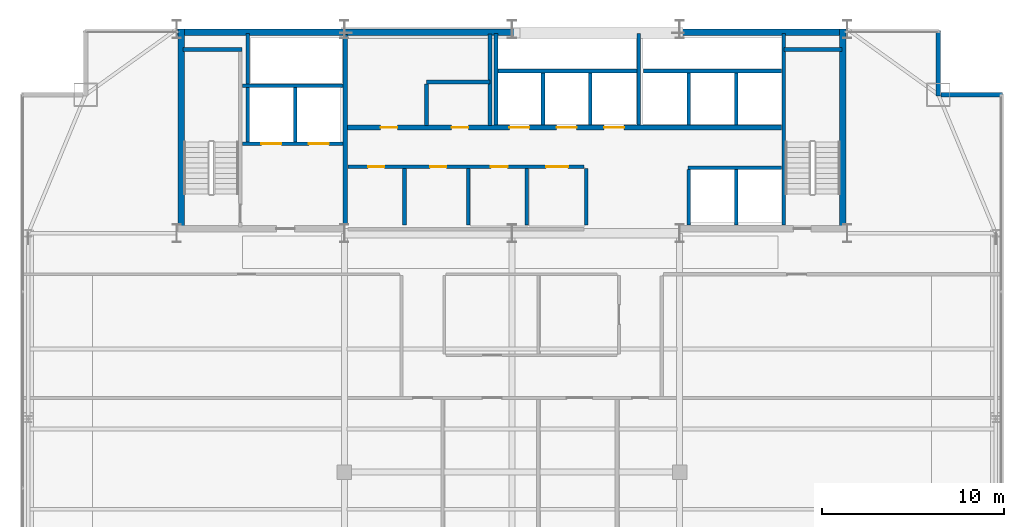
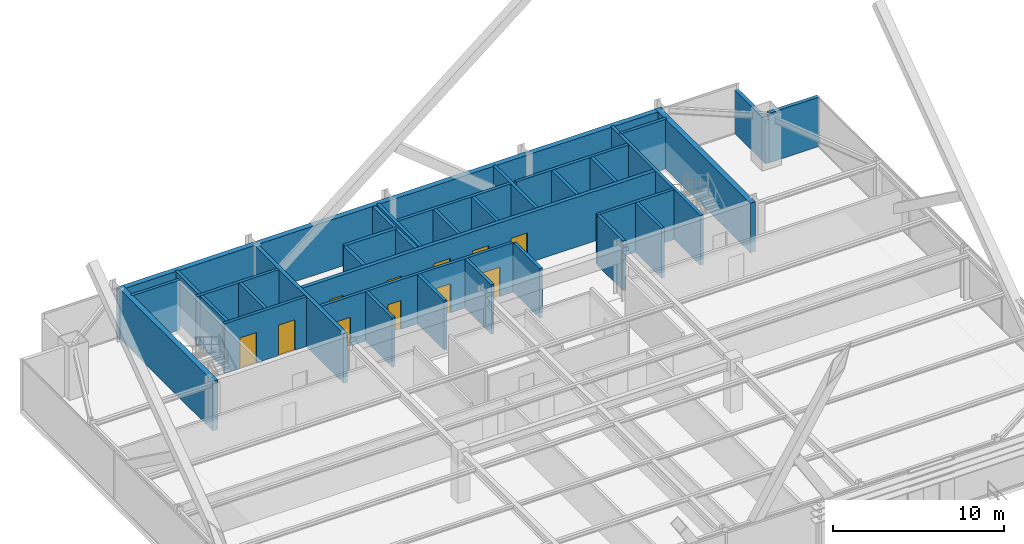
# One storey, part 31 of 34: 33 walls, 11 doors, 11 openings.
"""IFC4 building model written with IfcOpenShell, lengths in metres."""

from ifc_helpers import new_model, si_unit, direction, frame, frame_2d, origin, place, context, subcontext, project, spatial, rectangle, extrude, source, transform, mapped, material, layer, layer_set, type_object, type_shapes, element, fill, save


model = new_model("IFC4")

# Units and contexts
model_context = context("Model", 3, precision=1e-05, world=origin(), true_north=direction((0.0, 1.0)))
body_context = subcontext(model_context, "Body", "Model", "MODEL_VIEW")
ifc_project = project(units=[si_unit("LENGTHUNIT", "METRE"), si_unit("AREAUNIT", "SQUARE_METRE"), si_unit("VOLUMEUNIT", "CUBIC_METRE"), si_unit("PLANEANGLEUNIT", "RADIAN"), si_unit("MASSUNIT", "GRAM", prefix="KILO")], contexts=[model_context])

# Site, building, storey
site_placement = place(None, origin())
site = spatial("IfcSite", under=ifc_project, at=site_placement, CompositionType="ELEMENT")
building_placement = place(site_placement, origin())
building = spatial("IfcBuilding", under=site, at=building_placement, Name="Varnel Quay Broadcast Tower", CompositionType="ELEMENT")
storey_placement = place(building_placement, frame((0.0, 0.0, 161.0)))
storey = spatial("IfcBuildingStorey", under=building, at=storey_placement, Name="L39", CompositionType="ELEMENT", Elevation=161.0)

# Wall
ifc_material_1 = material(Name="Concrete CSA A23.3 C50/60", Category="concrete")
ifc_layer_1 = layer(ifc_material_1, 0.199951171875, Name="Concrete CSA A23.3 C50/60")
ifc_layer_set_1 = layer_set([ifc_layer_1], Name="Concrete CSA A23.3 C50/60")
wall_type_1 = type_object("IfcWallType", Name="Wall_CoreShaftShear200", PredefinedType="SHEAR", material=ifc_layer_set_1)
wall_1_placement = place(storey_placement, frame((15.949951171875, 45.679931640625, 0.0), z_axis=(0.0, 0.0, 1.0), x_axis=(1.0, 0.0, 0.0)))
element("IfcWall", 1, at=wall_1_placement, inside=storey, type_object=wall_type_1, Name="L39 Stair 1 North Structural Wall", PredefinedType="SHEAR", context=body_context, shape_type="SweptSolid", body=[
    extrude(rectangle(XDim=3.22998046875, YDim=0.199951171875, at=frame_2d((1.614990234375, 0.0))), origin(), (0.0, 0.0, 1.0), 3.550048828125),
])

# Wall, openings, doors
wall_2_placement = place(storey_placement, frame((19.199951171875, 40.5, 0.0), z_axis=(0.0, 0.0, 1.0), x_axis=(1.0, 0.0, 0.0)))
wall_2 = element("IfcWall", 2, at=wall_2_placement, inside=storey, type_object=wall_type_1, Name="L39 Firefighter Lift Shaft Front Wall", PredefinedType="SHEAR", context=body_context, shape_type="SweptSolid", body=[
    extrude(rectangle(XDim=5.52001953125, YDim=0.199951171875, at=frame_2d((2.760009765625, 0.0))), origin(), (0.0, 0.0, 1.0), 3.550048828125),
])
opening_1_placement = place(wall_2_placement, frame((1.050048828125, 0.0, 0.0)))
opening_1 = element("IfcOpeningElement", 3, at=opening_1_placement, cuts=wall_2, Name="Opening LD-L39-FE1", PredefinedType="OPENING", context=body_context, shape_type="SweptSolid", body=[
    extrude(rectangle(XDim=1.10009765625, YDim=2.179931640625, at=frame_2d((0.550048828125, 1.08984375))), frame((0.0, 0.10986328125, 0.0), z_axis=(0.0, -1.0, 0.0), x_axis=(1.0, 0.0, 0.0)), (0.0, 0.0, 1.0), 0.219970703125),
])
opening_2_placement = place(wall_2_placement, frame((3.64990234375, 0.0, 0.0)))
opening_2 = element("IfcOpeningElement", 4, at=opening_2_placement, cuts=wall_2, Name="Opening LD-L39-FE2", PredefinedType="OPENING", context=body_context, shape_type="SweptSolid", body=[
    extrude(rectangle(XDim=1.10009765625, YDim=2.179931640625, at=frame_2d((0.550048828125, 1.08984375))), frame((0.0, 0.10986328125, 0.0), z_axis=(0.0, -1.0, 0.0), x_axis=(1.0, 0.0, 0.0)), (0.0, 0.0, 1.0), 0.219970703125),
])
ifc_material_2 = material(Name="Brushed Bronze-Stainless Lift Car & Sliding Doors", Category="steel")
door_type_1 = type_object("IfcDoorType", Name="Door_LiftLanding1100", OperationType="SLIDING_TO_LEFT", PredefinedType="DOOR", material=ifc_material_2)
shared_shape_1 = source(origin(), body_context, "Body", "SweptSolid", [
    extrude(rectangle(XDim=1.10009765625, YDim=2.179931640625, at=frame_2d((0.550048828125, 1.08984375))), frame((0.0, 0.02490234375, 0.0), z_axis=(0.0, -1.0, 0.0), x_axis=(1.0, 0.0, 0.0)), (0.0, 0.0, 1.0), 0.050048828125),
])
type_shapes(door_type_1, [shared_shape_1])
door_1_placement = place(opening_1_placement, frame((1.10009765625, 0.0, 0.0), z_axis=(0.0, 0.0, 1.0), x_axis=(-1.0, 0.0, 0.0)))
door_1 = element("IfcDoor", 5, at=door_1_placement, inside=storey, type_object=door_type_1, Name="L39 Firefighter Lift FE-01 Landing Door", OperationType="SLIDING_TO_LEFT", OverallHeight=2.179931640625, OverallWidth=1.10009765625, PredefinedType="DOOR", context=body_context, shape_type="MappedRepresentation", body=[
    mapped(shared_shape_1, transform((0.0, 0.0, 0.0), x_axis=(1.0, 0.0, 0.0), y_axis=(0.0, 1.0, 0.0), z_axis=(0.0, 0.0, 1.0), scale=1.0)),
])
fill(opening_1, door_1)
door_2_placement = place(opening_2_placement, frame((1.10009765625, 0.0, 0.0), z_axis=(0.0, 0.0, 1.0), x_axis=(-1.0, 0.0, 0.0)))
door_2 = element("IfcDoor", 6, at=door_2_placement, inside=storey, type_object=door_type_1, Name="L39 Firefighter Lift FE-02 Landing Door", OperationType="SLIDING_TO_RIGHT", OverallHeight=2.179931640625, OverallWidth=1.10009765625, PredefinedType="DOOR", context=body_context, shape_type="MappedRepresentation", body=[
    mapped(shared_shape_1, transform((0.0, 0.0, 0.0), x_axis=(1.0, 0.0, 0.0), y_axis=(0.0, 1.0, 0.0), z_axis=(0.0, 0.0, 1.0), scale=1.0)),
])
fill(opening_2, door_2)

# Walls
wall_3_placement = place(storey_placement, frame((19.199951171875, 43.699951171875, 0.0), z_axis=(0.0, 0.0, 1.0), x_axis=(1.0, 0.0, 0.0)))
element("IfcWall", 7, at=wall_3_placement, inside=storey, type_object=wall_type_1, Name="L39 Firefighter Lift Shaft Rear Wall", PredefinedType="SHEAR", context=body_context, shape_type="SweptSolid", body=[
    extrude(rectangle(XDim=5.52001953125, YDim=0.199951171875, at=frame_2d((2.760009765625, 0.0))), origin(), (0.0, 0.0, 1.0), 3.550048828125),
])
wall_4_placement = place(storey_placement, frame((22.10009765625, 40.60009765625, 0.0), z_axis=(0.0, 0.0, 1.0), x_axis=(0.0, 1.0, 0.0)))
element("IfcWall", 8, at=wall_4_placement, inside=storey, type_object=wall_type_1, Name="L39 Firefighter Lift Shaft Divider", PredefinedType="SHEAR", context=body_context, shape_type="SweptSolid", body=[
    extrude(rectangle(XDim=3.0, YDim=0.199951171875, at=frame_2d((1.5, 0.0))), origin(), (0.0, 0.0, 1.0), 3.550048828125),
])
wall_5_placement = place(storey_placement, frame((19.5, 40.60009765625, 0.0), z_axis=(0.0, 0.0, 1.0), x_axis=(0.0, 1.0, 0.0)))
element("IfcWall", 9, at=wall_5_placement, inside=storey, type_object=wall_type_1, Name="L39 Firefighter Lift Shaft West Wall", PredefinedType="SHEAR", context=body_context, shape_type="SweptSolid", body=[
    extrude(rectangle(XDim=5.949951171875, YDim=0.199951171875, at=frame_2d((2.97509765625, 0.0))), origin(), (0.0, 0.0, 1.0), 3.550048828125),
])
wall_6_placement = place(storey_placement, frame((48.919921875, 36.050048828125, 0.0), z_axis=(0.0, 0.0, 1.0), x_axis=(0.0, 1.0, 0.0)))
element("IfcWall", 10, at=wall_6_placement, inside=storey, type_object=wall_type_1, Name="L39 Stair 2 West Structural Wall", PredefinedType="SHEAR", context=body_context, shape_type="SweptSolid", body=[
    extrude(rectangle(XDim=10.5, YDim=0.199951171875, at=frame_2d((5.25, 0.0))), origin(), (0.0, 0.0, 1.0), 3.550048828125),
])
wall_7_placement = place(storey_placement, frame((48.919921875, 45.679931640625, 0.0), z_axis=(0.0, 0.0, 1.0), x_axis=(1.0, 0.0, 0.0)))
element("IfcWall", 11, at=wall_7_placement, inside=storey, type_object=wall_type_1, Name="L39 Stair 2 North Structural Wall", PredefinedType="SHEAR", context=body_context, shape_type="SweptSolid", body=[
    extrude(rectangle(XDim=3.18017578125, YDim=0.199951171875, at=frame_2d((1.590087890625, 0.0))), origin(), (0.0, 0.0, 1.0), 3.550048828125),
])
wall_8_placement = place(storey_placement, frame((33.219970703125, 44.5, 0.0), z_axis=(0.0, 0.0, 1.0), x_axis=(1.0, 0.0, 0.0)))
element("IfcWall", 12, at=wall_8_placement, inside=storey, type_object=wall_type_1, Name="L39 Mid-Rise Lift Shaft Rear Wall", PredefinedType="SHEAR", context=body_context, shape_type="SweptSolid", body=[
    extrude(rectangle(XDim=7.630126953125, YDim=0.199951171875, at=frame_2d((3.81494140625, 0.0))), origin(), (0.0, 0.0, 1.0), 3.550048828125),
])
wall_9_placement = place(storey_placement, frame((33.1201171875, 41.530029296875, 0.0), z_axis=(0.0, 0.0, 1.0), x_axis=(0.0, 1.0, 0.0)))
element("IfcWall", 13, at=wall_9_placement, inside=storey, type_object=wall_type_1, Name="L39 Mid-Rise Lift Shaft Divider 1", PredefinedType="SHEAR", context=body_context, shape_type="SweptSolid", body=[
    extrude(rectangle(XDim=5.02001953125, YDim=0.199951171875, at=frame_2d((2.510009765625, 0.0))), origin(), (0.0, 0.0, 1.0), 3.550048828125),
])
for number, where, z_axis, x_axis, name in (
    (14, (35.699951171875, 41.530029296875, 0.0), (0.0, 0.0, 1.0), (0.0, 1.0, 0.0), "L39 Mid-Rise Lift Shaft Divider 2"),
    (15, (38.300048828125, 41.530029296875, 0.0), (0.0, 0.0, 1.0), (0.0, 1.0, 0.0), "L39 Mid-Rise Lift Shaft Divider 3"),
):
    element("IfcWall", number, at=place(storey_placement, frame(where, z_axis=z_axis, x_axis=x_axis)), inside=storey, type_object=wall_type_1, Name=name, PredefinedType="SHEAR", context=body_context, shape_type="SweptSolid", body=[
        extrude(rectangle(XDim=2.869873046875, YDim=0.199951171875, at=frame_2d((1.43505859375, 0.0))), origin(), (0.0, 0.0, 1.0), 3.550048828125),
    ])
wall_10_placement = place(storey_placement, frame((40.949951171875, 41.530029296875, 0.0), z_axis=(0.0, 0.0, 1.0), x_axis=(0.0, 1.0, 0.0)))
element("IfcWall", 16, at=wall_10_placement, inside=storey, type_object=wall_type_1, Name="L39 Mid-Rise Lift Shaft Divider 4", PredefinedType="SHEAR", context=body_context, shape_type="SweptSolid", body=[
    extrude(rectangle(XDim=5.02001953125, YDim=0.199951171875, at=frame_2d((2.510009765625, 0.0))), origin(), (0.0, 0.0, 1.0), 3.550048828125),
])
wall_11_placement = place(storey_placement, frame((41.219970703125, 44.5, 0.0), z_axis=(0.0, 0.0, 1.0), x_axis=(1.0, 0.0, 0.0)))
element("IfcWall", 17, at=wall_11_placement, inside=storey, type_object=wall_type_1, Name="L39 High-Rise Lift Shaft Rear Wall", PredefinedType="SHEAR", context=body_context, shape_type="SweptSolid", body=[
    extrude(rectangle(XDim=7.580078125, YDim=0.199951171875, at=frame_2d((3.7900390625, 0.0))), origin(), (0.0, 0.0, 1.0), 3.550048828125),
])
for number, where, z_axis, x_axis, name in (
    (18, (43.699951171875, 41.530029296875, 0.0), (0.0, 0.0, 1.0), (0.0, 1.0, 0.0), "L39 High-Rise Lift Shaft Divider 2"),
    (19, (46.300048828125, 41.530029296875, 0.0), (0.0, 0.0, 1.0), (0.0, 1.0, 0.0), "L39 High-Rise Lift Shaft Divider 3"),
):
    element("IfcWall", number, at=place(storey_placement, frame(where, z_axis=z_axis, x_axis=x_axis)), inside=storey, type_object=wall_type_1, Name=name, PredefinedType="SHEAR", context=body_context, shape_type="SweptSolid", body=[
        extrude(rectangle(XDim=2.869873046875, YDim=0.199951171875, at=frame_2d((1.43505859375, 0.0))), origin(), (0.0, 0.0, 1.0), 3.550048828125),
    ])
for number, where, z_axis, x_axis, name in (
    (20, (43.699951171875, 36.050048828125, 0.0), (0.0, 0.0, 1.0), (0.0, 1.0, 0.0), "L39 Express Lift Shaft West Wall"),
    (21, (46.300048828125, 36.050048828125, 0.0), (0.0, 0.0, 1.0), (0.0, 1.0, 0.0), "L39 Express Lift Shaft Divider"),
):
    element("IfcWall", number, at=place(storey_placement, frame(where, z_axis=z_axis, x_axis=x_axis)), inside=storey, type_object=wall_type_1, Name=name, PredefinedType="SHEAR", context=body_context, shape_type="SweptSolid", body=[
        extrude(rectangle(XDim=3.050048828125, YDim=0.199951171875, at=frame_2d((1.52490234375, 0.0))), origin(), (0.0, 0.0, 1.0), 3.550048828125),
    ])
wall_12_placement = place(storey_placement, frame((43.64990234375, 39.199951171875, 0.0), z_axis=(0.0, 0.0, 1.0), x_axis=(1.0, 0.0, 0.0)))
element("IfcWall", 22, at=wall_12_placement, inside=storey, type_object=wall_type_1, Name="L39 Express Lift Shaft North Front Wall", PredefinedType="SHEAR", context=body_context, shape_type="SweptSolid", body=[
    extrude(rectangle(XDim=5.150146484375, YDim=0.199951171875, at=frame_2d((2.5751953125, 0.0))), origin(), (0.0, 0.0, 1.0), 3.550048828125),
])
ifc_layer_2 = layer(ifc_material_1, 0.25, Name="Concrete CSA A23.3 C50/60")
ifc_layer_set_2 = layer_set([ifc_layer_2], Name="Concrete CSA A23.3 C50/60")
wall_type_2 = type_object("IfcWallType", Name="Wall_CoreShaftShear250", PredefinedType="SHEAR", material=ifc_layer_set_2)
wall_13_placement = place(storey_placement, frame((24.85009765625, 36.050048828125, 0.0), z_axis=(0.0, 0.0, 1.0), x_axis=(0.0, 1.0, 0.0)))
element("IfcWall", 23, at=wall_13_placement, inside=storey, type_object=wall_type_2, Name="L39 Firefighting Lobby East Structural Wall", PredefinedType="SHEAR", context=body_context, shape_type="SweptSolid", body=[
    extrude(rectangle(XDim=10.449951171875, YDim=0.25, at=frame_2d((5.22509765625, 0.0))), origin(), (0.0, 0.0, 1.0), 3.550048828125),
])

# Wall, openings, doors
wall_14_placement = place(storey_placement, frame((24.97998046875, 41.39990234375, 0.0), z_axis=(0.0, 0.0, 1.0), x_axis=(1.0, 0.0, 0.0)))
wall_14 = element("IfcWall", 24, at=wall_14_placement, inside=storey, type_object=wall_type_2, Name="L39 North Lift Bank & Reclaimed Suite Wall", PredefinedType="SHEAR", context=body_context, shape_type="SweptSolid", body=[
    extrude(rectangle(XDim=23.820068359375, YDim=0.25, at=frame_2d((11.91015625, 0.0))), origin(), (0.0, 0.0, 1.0), 3.550048828125),
])
opening_3_placement = place(wall_14_placement, frame((8.8701171875, 0.0, 0.0)))
opening_3 = element("IfcOpeningElement", 25, at=opening_3_placement, cuts=wall_14, Name="Opening LD-L39-PM-01", PredefinedType="OPENING", context=body_context, shape_type="SweptSolid", body=[
    extrude(rectangle(XDim=1.10009765625, YDim=2.179931640625, at=frame_2d((0.550048828125, 1.08984375))), frame((0.0, 0.135009765625, 0.0), z_axis=(0.0, -1.0, 0.0), x_axis=(1.0, 0.0, 0.0)), (0.0, 0.0, 1.0), 0.27001953125),
])
opening_4_placement = place(wall_14_placement, frame((11.469970703125, 0.0, 0.0)))
opening_4 = element("IfcOpeningElement", 26, at=opening_4_placement, cuts=wall_14, Name="Opening LD-L39-PM-02", PredefinedType="OPENING", context=body_context, shape_type="SweptSolid", body=[
    extrude(rectangle(XDim=1.10009765625, YDim=2.179931640625, at=frame_2d((0.550048828125, 1.08984375))), frame((0.0, 0.135009765625, 0.0), z_axis=(0.0, -1.0, 0.0), x_axis=(1.0, 0.0, 0.0)), (0.0, 0.0, 1.0), 0.27001953125),
])
opening_5_placement = place(wall_14_placement, frame((14.070068359375, 0.0, 0.0)))
opening_5 = element("IfcOpeningElement", 27, at=opening_5_placement, cuts=wall_14, Name="Opening LD-L39-PM-03", PredefinedType="OPENING", context=body_context, shape_type="SweptSolid", body=[
    extrude(rectangle(XDim=1.10009765625, YDim=2.179931640625, at=frame_2d((0.550048828125, 1.08984375))), frame((0.0, 0.135009765625, 0.0), z_axis=(0.0, -1.0, 0.0), x_axis=(1.0, 0.0, 0.0)), (0.0, 0.0, 1.0), 0.27001953125),
])
opening_6_placement = place(wall_14_placement, frame((1.81005859375, 0.0, 0.0)))
opening_6 = element("IfcOpeningElement", 28, at=opening_6_placement, cuts=wall_14, Name="Opening D-L39-RECA1", PredefinedType="OPENING", context=body_context, shape_type="SweptSolid", body=[
    extrude(rectangle(XDim=0.919921875, YDim=2.080078125, at=frame_2d((0.4599609375, 1.0400390625))), frame((0.0, 0.135009765625, 0.0), z_axis=(0.0, -1.0, 0.0), x_axis=(1.0, 0.0, 0.0)), (0.0, 0.0, 1.0), 0.27001953125),
])
opening_7_placement = place(wall_14_placement, frame((5.7099609375, 0.0, 0.0)))
opening_7 = element("IfcOpeningElement", 29, at=opening_7_placement, cuts=wall_14, Name="Opening D-L39-RECA2", PredefinedType="OPENING", context=body_context, shape_type="SweptSolid", body=[
    extrude(rectangle(XDim=0.919921875, YDim=2.080078125, at=frame_2d((0.4599609375, 1.0400390625))), frame((0.0, 0.135009765625, 0.0), z_axis=(0.0, -1.0, 0.0), x_axis=(1.0, 0.0, 0.0)), (0.0, 0.0, 1.0), 0.27001953125),
])
door_3_placement = place(opening_3_placement, frame((1.10009765625, 0.0, 0.0), z_axis=(0.0, 0.0, 1.0), x_axis=(-1.0, 0.0, 0.0)))
door_3 = element("IfcDoor", 30, at=door_3_placement, inside=storey, type_object=door_type_1, Name="L39 Lift PM-01 Landing Door", OperationType="SLIDING_TO_LEFT", OverallHeight=2.179931640625, OverallWidth=1.10009765625, PredefinedType="DOOR", context=body_context, shape_type="MappedRepresentation", body=[
    mapped(shared_shape_1, transform((0.0, 0.0, 0.0), x_axis=(1.0, 0.0, 0.0), y_axis=(0.0, 1.0, 0.0), z_axis=(0.0, 0.0, 1.0), scale=1.0)),
])
fill(opening_3, door_3)
door_4_placement = place(opening_4_placement, frame((1.10009765625, 0.0, 0.0), z_axis=(0.0, 0.0, 1.0), x_axis=(-1.0, 0.0, 0.0)))
door_4 = element("IfcDoor", 31, at=door_4_placement, inside=storey, type_object=door_type_1, Name="L39 Lift PM-02 Landing Door", OperationType="SLIDING_TO_LEFT", OverallHeight=2.179931640625, OverallWidth=1.10009765625, PredefinedType="DOOR", context=body_context, shape_type="MappedRepresentation", body=[
    mapped(shared_shape_1, transform((0.0, 0.0, 0.0), x_axis=(1.0, 0.0, 0.0), y_axis=(0.0, 1.0, 0.0), z_axis=(0.0, 0.0, 1.0), scale=1.0)),
])
fill(opening_4, door_4)
door_5_placement = place(opening_5_placement, frame((1.10009765625, 0.0, 0.0), z_axis=(0.0, 0.0, 1.0), x_axis=(-1.0, 0.0, 0.0)))
door_5 = element("IfcDoor", 32, at=door_5_placement, inside=storey, type_object=door_type_1, Name="L39 Lift PM-03 Landing Door", OperationType="SLIDING_TO_LEFT", OverallHeight=2.179931640625, OverallWidth=1.10009765625, PredefinedType="DOOR", context=body_context, shape_type="MappedRepresentation", body=[
    mapped(shared_shape_1, transform((0.0, 0.0, 0.0), x_axis=(1.0, 0.0, 0.0), y_axis=(0.0, 1.0, 0.0), z_axis=(0.0, 0.0, 1.0), scale=1.0)),
])
fill(opening_5, door_5)
ifc_material_3 = material(Name="Solid-Core Fire-Rated Acoustic Oak Veneer Door", Category="wood")
door_type_2 = type_object("IfcDoorType", Name="Door_Office920", OperationType="NOTDEFINED", PredefinedType="DOOR", material=ifc_material_3)
shared_shape_2 = source(origin(), body_context, "Body", "SweptSolid", [
    extrude(rectangle(XDim=0.919921875, YDim=2.080078125, at=frame_2d((0.4599609375, 1.0400390625))), frame((0.0, 0.02490234375, 0.0), z_axis=(0.0, -1.0, 0.0), x_axis=(1.0, 0.0, 0.0)), (0.0, 0.0, 1.0), 0.050048828125),
])
type_shapes(door_type_2, [shared_shape_2])
door_6_placement = place(opening_6_placement, origin())
door_6 = element("IfcDoor", 33, at=door_6_placement, inside=storey, type_object=door_type_2, Name="L39 Signal Routing Suite Door", OperationType="SINGLE_SWING_LEFT", OverallHeight=2.080078125, OverallWidth=0.919921875, PredefinedType="DOOR", context=body_context, shape_type="MappedRepresentation", body=[
    mapped(shared_shape_2, transform((0.0, 0.0, 0.0), x_axis=(1.0, 0.0, 0.0), y_axis=(0.0, 1.0, 0.0), z_axis=(0.0, 0.0, 1.0), scale=1.0)),
])
fill(opening_6, door_6)
door_7_placement = place(opening_7_placement, origin())
door_7 = element("IfcDoor", 34, at=door_7_placement, inside=storey, type_object=door_type_2, Name="L39 Archive Media Store Door", OperationType="SINGLE_SWING_RIGHT", OverallHeight=2.080078125, OverallWidth=0.919921875, PredefinedType="DOOR", context=body_context, shape_type="MappedRepresentation", body=[
    mapped(shared_shape_2, transform((0.0, 0.0, 0.0), x_axis=(1.0, 0.0, 0.0), y_axis=(0.0, 1.0, 0.0), z_axis=(0.0, 0.0, 1.0), scale=1.0)),
])
fill(opening_7, door_7)

# Walls
ifc_layer_3 = layer(ifc_material_1, 0.35009765625, Name="Concrete CSA A23.3 C50/60")
ifc_layer_set_3 = layer_set([ifc_layer_3], Name="Concrete CSA A23.3 C50/60")
wall_type_3 = type_object("IfcWallType", Name="Wall_CoreShearExt350", PredefinedType="SHEAR", material=ifc_layer_set_3)
wall_15_placement = place(storey_placement, frame((15.60009765625, 46.625, 0.0), z_axis=(0.0, 0.0, 1.0), x_axis=(1.0, 0.0, 0.0)))
element("IfcWall", 35, at=wall_15_placement, inside=storey, type_object=wall_type_3, Name="L39 North Core Shear Wall", PredefinedType="SHEAR", context=body_context, shape_type="SweptSolid", body=[
    extrude(rectangle(XDim=36.7998046875, YDim=0.35009765625, at=frame_2d((18.39990234375, 0.0))), origin(), (0.0, 0.0, 1.0), 3.550048828125),
])
ifc_layer_4 = layer(ifc_material_1, 0.35009765625, Name="Concrete CSA A23.3 C50/60")
ifc_layer_set_4 = layer_set([ifc_layer_4], Name="Concrete CSA A23.3 C50/60")
wall_type_4 = type_object("IfcWallType", Name="Wall_CoreShearInt350", PredefinedType="SHEAR", material=ifc_layer_set_4)
for number, where, z_axis, x_axis, name in (
    (36, (15.844970703125, 35.669921875, 0.0), (0.0, 0.0, 1.0), (0.0, 1.0, 0.0), "L39 West Core Shear Wall"),
    (37, (52.155029296875, 35.669921875, 0.0), (0.0, 0.0, 1.0), (0.0, 1.0, 0.0), "L39 East Core Shear Wall"),
):
    element("IfcWall", number, at=place(storey_placement, frame(where, z_axis=z_axis, x_axis=x_axis)), inside=storey, type_object=wall_type_4, Name=name, PredefinedType="SHEAR", context=body_context, shape_type="SweptSolid", body=[
        extrude(rectangle(XDim=11.130126953125, YDim=0.35009765625, at=frame_2d((5.56494140625, 0.0))), origin(), (0.0, 0.0, 1.0), 3.550048828125),
    ])
ifc_material_4 = material(Name="Precast Architectural Concrete C40/50", Category="concrete")
ifc_layer_5 = layer(ifc_material_4, 0.25, Name="Precast Architectural Concrete C40/50")
ifc_layer_set_5 = layer_set([ifc_layer_5], Name="Precast Architectural Concrete C40/50")
wall_type_5 = type_object("IfcWallType", Name="Wall_ExtTerrace250", PredefinedType="SOLIDWALL", material=ifc_layer_set_5)
wall_16_placement = place(storey_placement, frame((57.530029296875, 43.199951171875, 0.0), z_axis=(0.0, 0.0, 1.0), x_axis=(1.0, 0.0, 0.0)))
element("IfcWall", 38, at=wall_16_placement, inside=storey, type_object=wall_type_5, Name="L39 Mega-Column Notch Cladding Wall NNE1", PredefinedType="SOLIDWALL", context=body_context, shape_type="SweptSolid", body=[
    extrude(rectangle(XDim=3.389892578125, YDim=0.25, at=frame_2d((1.69482421875, 0.0))), origin(), (0.0, 0.0, 1.0), 3.530029296875),
])
wall_17_placement = place(storey_placement, frame((57.39990234375, 43.1201171875, 0.0), z_axis=(0.0, 0.0, 1.0), x_axis=(0.0, 1.0, 0.0)))
element("IfcWall", 39, at=wall_17_placement, inside=storey, type_object=wall_type_5, Name="L39 Mega-Column Notch Cladding Wall NNE2", PredefinedType="SOLIDWALL", context=body_context, shape_type="SweptSolid", body=[
    extrude(rectangle(XDim=3.599853515625, YDim=0.25, at=frame_2d((1.7998046875, 0.0))), origin(), (0.0, 0.0, 1.0), 3.10791015625),
])

# Wall, openings, doors
ifc_material_5 = material(Name="Concrete Blockwork Fire Enclosure C40/50", Category="masonry")
ifc_layer_6 = layer(ifc_material_5, 0.199951171875, Name="Concrete Blockwork Fire Enclosure C40/50")
ifc_layer_set_6 = layer_set([ifc_layer_6], Name="Concrete Blockwork Fire Enclosure C40/50")
wall_type_6 = type_object("IfcWallType", Name="Wall_FireShaft200", PredefinedType="SOLIDWALL", material=ifc_layer_set_6)
wall_18_placement = place(storey_placement, frame((25.0, 39.25, 0.0), z_axis=(0.0, 0.0, 1.0), x_axis=(1.0, 0.0, 0.0)))
wall_18 = element("IfcWall", 40, at=wall_18_placement, inside=storey, type_object=wall_type_6, Name="L39 Accessible Universal Washroom Partition 3", PredefinedType="SOLIDWALL", context=body_context, shape_type="SweptSolid", body=[
    extrude(rectangle(XDim=12.949951171875, YDim=0.199951171875, at=frame_2d((6.47509765625, 0.0))), origin(), (0.0, 0.0, 1.0), 3.530029296875),
])
opening_8_placement = place(wall_18_placement, frame((1.10009765625, 0.0, 0.0)))
opening_8 = element("IfcOpeningElement", 41, at=opening_8_placement, cuts=wall_18, Name="Opening D-L39-01", PredefinedType="OPENING", context=body_context, shape_type="SweptSolid", body=[
    extrude(rectangle(XDim=0.89990234375, YDim=2.06005859375, at=frame_2d((0.449951171875, 1.030029296875))), frame((0.0, 0.10986328125, 0.0), z_axis=(0.0, -1.0, 0.0), x_axis=(1.0, 0.0, 0.0)), (0.0, 0.0, 1.0), 0.219970703125),
])
opening_9_placement = place(wall_18_placement, frame((4.5, 0.0, 0.0)))
opening_9 = element("IfcOpeningElement", 42, at=opening_9_placement, cuts=wall_18, Name="Opening D-L39-02", PredefinedType="OPENING", context=body_context, shape_type="SweptSolid", body=[
    extrude(rectangle(XDim=0.89990234375, YDim=2.06005859375, at=frame_2d((0.449951171875, 1.030029296875))), frame((0.0, 0.10986328125, 0.0), z_axis=(0.0, -1.0, 0.0), x_axis=(1.0, 0.0, 0.0)), (0.0, 0.0, 1.0), 0.219970703125),
])
opening_10_placement = place(wall_18_placement, frame((7.840087890625, 0.0, 0.0)))
opening_10 = element("IfcOpeningElement", 43, at=opening_10_placement, cuts=wall_18, Name="Opening D-L39-03", PredefinedType="OPENING", context=body_context, shape_type="SweptSolid", body=[
    extrude(rectangle(XDim=0.919921875, YDim=2.080078125, at=frame_2d((0.4599609375, 1.0400390625))), frame((0.0, 0.10986328125, 0.0), z_axis=(0.0, -1.0, 0.0), x_axis=(1.0, 0.0, 0.0)), (0.0, 0.0, 1.0), 0.219970703125),
])
opening_11_placement = place(wall_18_placement, frame((10.875, 0.0, 0.0)))
opening_11 = element("IfcOpeningElement", 44, at=opening_11_placement, cuts=wall_18, Name="Opening D-L39-04", PredefinedType="OPENING", context=body_context, shape_type="SweptSolid", body=[
    extrude(rectangle(XDim=1.199951171875, YDim=2.10009765625, at=frame_2d((0.60009765625, 1.050048828125))), frame((0.0, 0.10986328125, 0.0), z_axis=(0.0, -1.0, 0.0), x_axis=(1.0, 0.0, 0.0)), (0.0, 0.0, 1.0), 0.219970703125),
])
door_type_3 = type_object("IfcDoorType", Name="Door_Washroom900", OperationType="NOTDEFINED", PredefinedType="DOOR", material=ifc_material_3)
shared_shape_3 = source(origin(), body_context, "Body", "SweptSolid", [
    extrude(rectangle(XDim=0.89990234375, YDim=2.06005859375, at=frame_2d((0.449951171875, 1.030029296875))), frame((0.0, 0.02490234375, 0.0), z_axis=(0.0, -1.0, 0.0), x_axis=(1.0, 0.0, 0.0)), (0.0, 0.0, 1.0), 0.050048828125),
])
type_shapes(door_type_3, [shared_shape_3])
door_8_placement = place(opening_8_placement, frame((0.89990234375, 0.0, 0.0), z_axis=(0.0, 0.0, 1.0), x_axis=(-1.0, 0.0, 0.0)))
door_8 = element("IfcDoor", 45, at=door_8_placement, inside=storey, type_object=door_type_3, Name="L39 Accessible Universal Washroom Door D-L39-01", OperationType="SINGLE_SWING_LEFT", OverallHeight=2.06005859375, OverallWidth=0.89990234375, PredefinedType="DOOR", context=body_context, shape_type="MappedRepresentation", body=[
    mapped(shared_shape_3, transform((0.0, 0.0, 0.0), x_axis=(1.0, 0.0, 0.0), y_axis=(0.0, 1.0, 0.0), z_axis=(0.0, 0.0, 1.0), scale=1.0)),
])
fill(opening_8, door_8)
door_9_placement = place(opening_9_placement, frame((0.89990234375, 0.0, 0.0), z_axis=(0.0, 0.0, 1.0), x_axis=(-1.0, 0.0, 0.0)))
door_9 = element("IfcDoor", 46, at=door_9_placement, inside=storey, type_object=door_type_3, Name="L39 Staff Washroom Block Door D-L39-02", OperationType="SINGLE_SWING_RIGHT", OverallHeight=2.06005859375, OverallWidth=0.89990234375, PredefinedType="DOOR", context=body_context, shape_type="MappedRepresentation", body=[
    mapped(shared_shape_3, transform((0.0, 0.0, 0.0), x_axis=(1.0, 0.0, 0.0), y_axis=(0.0, 1.0, 0.0), z_axis=(0.0, 0.0, 1.0), scale=1.0)),
])
fill(opening_9, door_9)
ifc_material_6 = material(Name="Insulated Fire-Rated Hollow Steel Door", Category="steel")
door_type_4 = type_object("IfcDoorType", Name="Door_Plant1200", OperationType="NOTDEFINED", PredefinedType="DOOR", material=ifc_material_6)
shared_shape_4 = source(origin(), body_context, "Body", "SweptSolid", [
    extrude(rectangle(XDim=1.199951171875, YDim=2.10009765625, at=frame_2d((0.60009765625, 1.050048828125))), frame((0.0, 0.02490234375, 0.0), z_axis=(0.0, -1.0, 0.0), x_axis=(1.0, 0.0, 0.0)), (0.0, 0.0, 1.0), 0.050048828125),
])
type_shapes(door_type_4, [shared_shape_4])
door_10_placement = place(opening_11_placement, origin())
door_10 = element("IfcDoor", 47, at=door_10_placement, inside=storey, type_object=door_type_4, Name="L39 Zone Lighting Dimmer Room Door D-L39-04", OperationType="SINGLE_SWING_RIGHT", OverallHeight=2.10009765625, OverallWidth=1.199951171875, PredefinedType="DOOR", context=body_context, shape_type="MappedRepresentation", body=[
    mapped(shared_shape_4, transform((0.0, 0.0, 0.0), x_axis=(1.0, 0.0, 0.0), y_axis=(0.0, 1.0, 0.0), z_axis=(0.0, 0.0, 1.0), scale=1.0)),
])
fill(opening_11, door_10)
door_11_placement = place(opening_10_placement, frame((0.919921875, 0.0, 0.0), z_axis=(0.0, 0.0, 1.0), x_axis=(-1.0, 0.0, 0.0)))
door_11 = element("IfcDoor", 48, at=door_11_placement, inside=storey, type_object=door_type_2, Name="L39 Broadcast First-Aid & Quiet Room Door D-L39-03", OperationType="SINGLE_SWING_LEFT", OverallHeight=2.080078125, OverallWidth=0.919921875, PredefinedType="DOOR", context=body_context, shape_type="MappedRepresentation", body=[
    mapped(shared_shape_2, transform((0.0, 0.0, 0.0), x_axis=(1.0, 0.0, 0.0), y_axis=(0.0, 1.0, 0.0), z_axis=(0.0, 0.0, 1.0), scale=1.0)),
])
fill(opening_10, door_11)

# Walls
for number, where, z_axis, x_axis, name in (
    (49, (34.800048828125, 36.050048828125, 0.0), (0.0, 0.0, 1.0), (0.0, 1.0, 0.0), "L39 Broadcast First-Aid & Quiet Room Partition 5"),
    (50, (38.074951171875, 36.050048828125, 0.0), (0.0, 0.0, 1.0), (0.0, 1.0, 0.0), "L39 Zone Lighting Dimmer Room Partition 6"),
):
    element("IfcWall", number, at=place(storey_placement, frame(where, z_axis=z_axis, x_axis=x_axis)), inside=storey, type_object=wall_type_6, Name=name, PredefinedType="SOLIDWALL", context=body_context, shape_type="SweptSolid", body=[
        extrude(rectangle(XDim=3.099853515625, YDim=0.199951171875, at=frame_2d((1.5498046875, 0.0))), origin(), (0.0, 0.0, 1.0), 3.530029296875),
    ])
ifc_material_7 = material(Name="Steel-Stud Fire-Rated Acoustic Gypsum Partition Assembly", Category="steel")
ifc_layer_7 = layer(ifc_material_7, 0.22509765625, Name="Steel-Stud Fire-Rated Acoustic Gypsum Partition Assembly")
ifc_layer_set_7 = layer_set([ifc_layer_7], Name="Steel-Stud Fire-Rated Acoustic Gypsum Partition Assembly")
wall_type_7 = type_object("IfcWallType", Name="Wall_Partition225", PredefinedType="PARTITIONING", material=ifc_layer_set_7)
wall_19_placement = place(storey_placement, frame((29.300048828125, 41.5, 0.0), z_axis=(0.0, 0.0, 1.0), x_axis=(0.0, 1.0, 0.0)))
element("IfcWall", 51, at=wall_19_placement, inside=storey, type_object=wall_type_7, Name="L39 Signal Routing Suite Partition 20", PredefinedType="PARTITIONING", context=body_context, shape_type="SweptSolid", body=[
    extrude(rectangle(XDim=2.2880859375, YDim=0.22509765625, at=frame_2d((1.14404296875, 0.0))), origin(), (0.0, 0.0, 1.0), 3.530029296875),
])
wall_20_placement = place(storey_placement, frame((29.300048828125, 43.89990234375, 0.0), z_axis=(0.0, 0.0, 1.0), x_axis=(1.0, 0.0, 0.0)))
element("IfcWall", 52, at=wall_20_placement, inside=storey, type_object=wall_type_7, Name="L39 Signal Routing Suite Partition 21", PredefinedType="PARTITIONING", context=body_context, shape_type="SweptSolid", body=[
    extrude(rectangle(XDim=3.5, YDim=0.22509765625, at=frame_2d((1.75, 0.0))), origin(), (0.0, 0.0, 1.0), 3.530029296875),
])
wall_21_placement = place(storey_placement, frame((32.800048828125, 41.5, 0.0), z_axis=(0.0, 0.0, 1.0), x_axis=(0.0, 1.0, 0.0)))
element("IfcWall", 53, at=wall_21_placement, inside=storey, type_object=wall_type_7, Name="L39 Signal Routing Suite Partition 22", PredefinedType="PARTITIONING", context=body_context, shape_type="SweptSolid", body=[
    extrude(rectangle(XDim=5.02001953125, YDim=0.22509765625, at=frame_2d((2.510009765625, 0.0))), origin(), (0.0, 0.0, 1.0), 3.530029296875),
])
ifc_material_8 = material(Name="Fire-Rated Moisture-Resistant Plumbing Chase Partition")
ifc_layer_8 = layer(ifc_material_8, 0.199951171875, Name="Fire-Rated Moisture-Resistant Plumbing Chase Partition")
ifc_layer_set_8 = layer_set([ifc_layer_8], Name="Fire-Rated Moisture-Resistant Plumbing Chase Partition")
wall_type_8 = type_object("IfcWallType", Name="Wall_Plumbing200", PredefinedType="PLUMBINGWALL", material=ifc_layer_set_8)
for number, where, z_axis, x_axis, name in (
    (54, (28.10009765625, 36.050048828125, 0.0), (0.0, 0.0, 1.0), (0.0, 1.0, 0.0), "L39 Accessible Universal Washroom Partition 2"),
    (55, (31.60009765625, 36.050048828125, 0.0), (0.0, 0.0, 1.0), (0.0, 1.0, 0.0), "L39 Staff Washroom Block Partition 4"),
):
    element("IfcWall", number, at=place(storey_placement, frame(where, z_axis=z_axis, x_axis=x_axis)), inside=storey, type_object=wall_type_8, Name=name, PredefinedType="PLUMBINGWALL", context=body_context, shape_type="SweptSolid", body=[
        extrude(rectangle(XDim=3.099853515625, YDim=0.199951171875, at=frame_2d((1.5498046875, 0.0))), origin(), (0.0, 0.0, 1.0), 3.530029296875),
    ])

save(model, "model.ifc")
